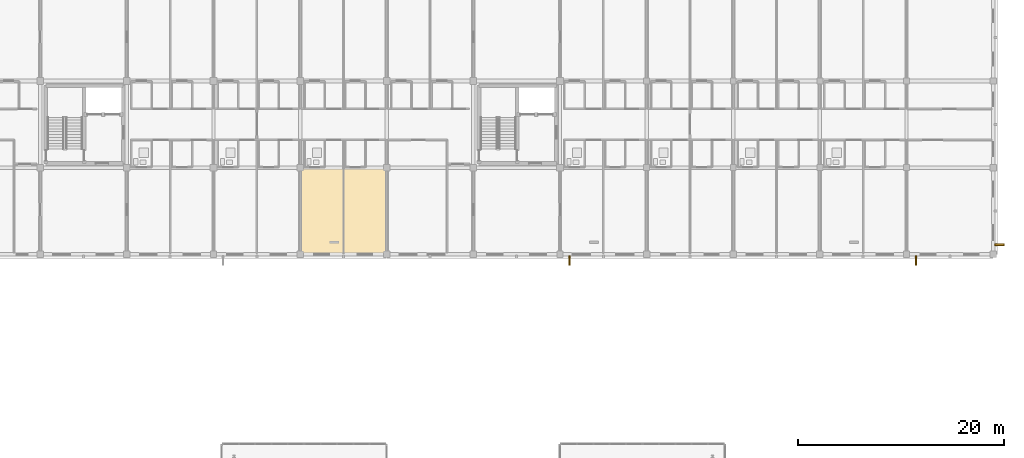
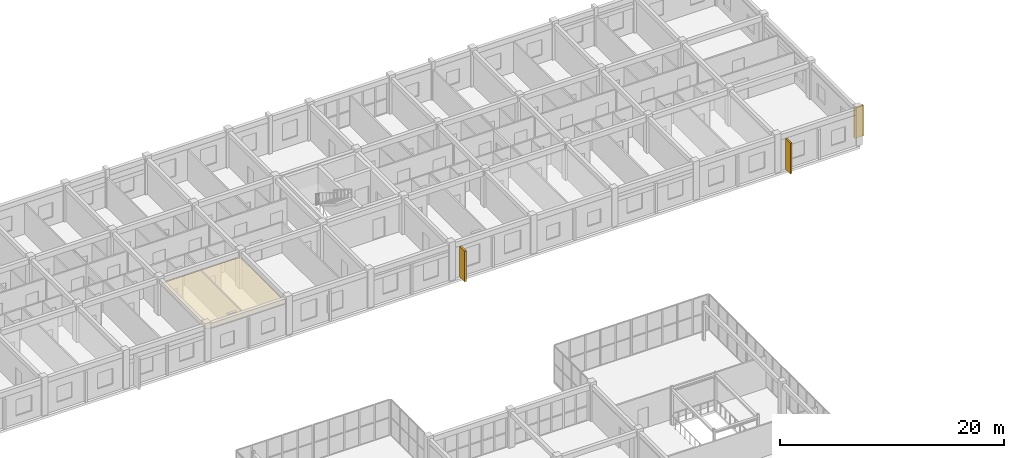
# One storey, part 78 of 81: 3 shading devices, 1 covering.
"""IFC4 building model written with IfcOpenShell, lengths in metres."""

from ifc_helpers import new_model, si_unit, direction, frame, origin, origin_2d, place, context, subcontext, project, spatial, polyline, rectangle, outline, extrude, material, layer, layer_set, type_object, element, save


model = new_model("IFC4")

# Units and contexts
model_context = context("Model", 3, precision=1e-05, world=origin(), true_north=direction((0.0, 1.0)))
body_context = subcontext(model_context, "Body", "Model", "MODEL_VIEW")
ifc_project = project(units=[si_unit("LENGTHUNIT", "METRE"), si_unit("AREAUNIT", "SQUARE_METRE"), si_unit("VOLUMEUNIT", "CUBIC_METRE"), si_unit("PLANEANGLEUNIT", "RADIAN"), si_unit("MASSUNIT", "GRAM", prefix="KILO")], contexts=[model_context])

# Site, building, storey
site_placement = place(None, origin())
site = spatial("IfcSite", under=ifc_project, at=site_placement, CompositionType="ELEMENT")
building_placement = place(site_placement, origin())
building = spatial("IfcBuilding", under=site, at=building_placement, Name="Trelvath General Hospital", CompositionType="ELEMENT")
storey_placement = place(building_placement, frame((0.0, 0.0, 24.60009765625)))
storey = spatial("IfcBuildingStorey", under=building, at=storey_placement, Name="L06", CompositionType="ELEMENT", Elevation=24.60009765625)

# Shading devices
ifc_material_1 = material(Name="Precast concrete C40/50", Category="concrete")
shading_device_type = type_object("IfcShadingDeviceType", Name="BriseSoleil PrecastFin900", PredefinedType="JALOUSIE", material=ifc_material_1)
for number, where, z_axis, x_axis, name in (
    (1, (93.328125, 91.794921875, 0.0), (0.0, 0.0, 1.0), (0.0, -1.0, 0.0), "Solar Brise-Soleil Screen L06-97"),
    (2, (126.92822265625, 91.794921875, 0.0), (0.0, 0.0, 1.0), (0.0, -1.0, 0.0), "Solar Brise-Soleil Screen L06-101"),
    (3, (135.0048828125, 93.328125, 0.0), (0.0, 0.0, 1.0), (1.0, 0.0, 0.0), "Solar Brise-Soleil Screen L06-102"),
):
    element("IfcShadingDevice", number, at=place(storey_placement, frame(where, z_axis=z_axis, x_axis=x_axis)), inside=storey, type_object=shading_device_type, Name=name, PredefinedType="JALOUSIE", context=body_context, shape_type="SweptSolid", body=[
        extrude(rectangle(XDim=0.89990234375, YDim=0.179931640625, at=origin_2d()), origin(), (0.0, 0.0, 1.0), 3.340087890625),
    ])

# Covering
ifc_material_2 = material(Name="Hygienic acoustic ceiling tile")
ifc_layer = layer(ifc_material_2, 0.02490234375)
ifc_layer_set = layer_set([ifc_layer], Name="Hygienic acoustic ceiling tile")
covering_type = type_object("IfcCoveringType", Name="Ceiling ClinicalAcoustic", PredefinedType="CEILING", material=ifc_layer_set)
covering_placement = place(storey_placement, frame((0.0, 0.0, 3.199951171875)))
element("IfcCovering", 4, at=covering_placement, inside=storey, type_object=covering_type, Name="Clinical Acoustic Ceiling L06-78", PredefinedType="CEILING", context=body_context, shape_type="SweptSolid", body=[
    extrude(outline(polyline([(67.300048828125, 92.5), (75.5, 92.5), (75.5, 100.719970703125), (67.300048828125, 100.719970703125), (67.300048828125, 92.5)])), origin(), (0.0, 0.0, 1.0), 0.02490234375),
])

save(model, "model.ifc")
